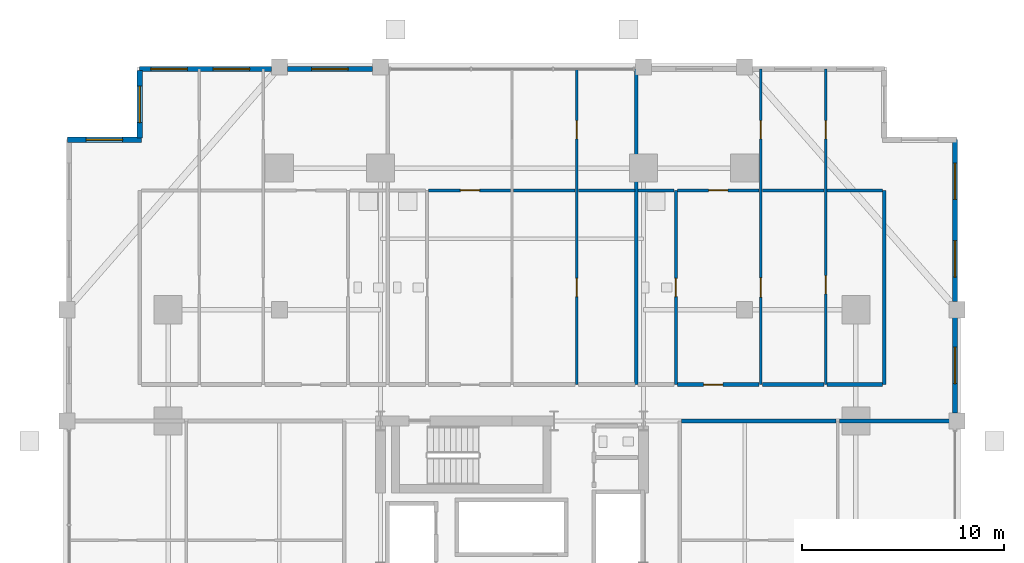
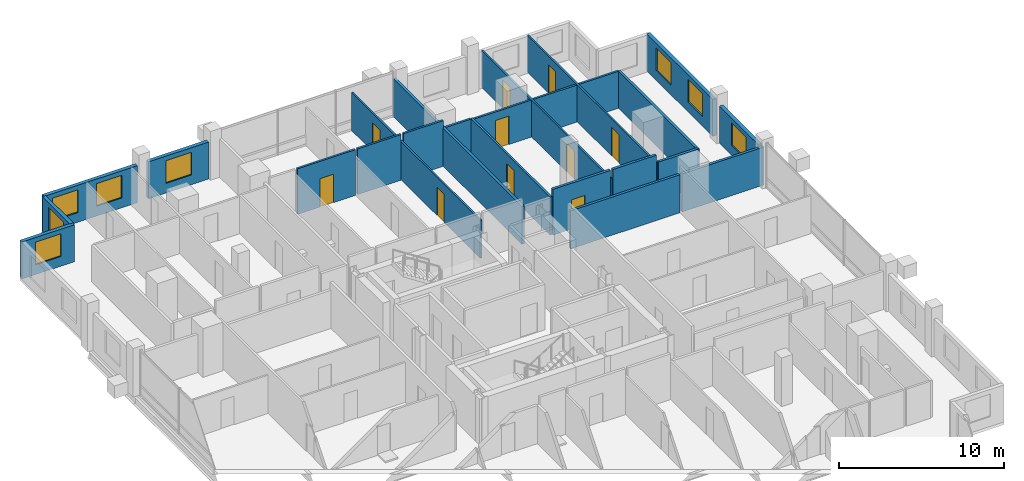
# One storey, part 21 of 24: 24 walls, 10 doors, 8 windows, 18 openings.
"""IFC4 building model written with IfcOpenShell, lengths in metres."""

from ifc_helpers import new_model, si_unit, direction, frame, frame_2d, origin, place, context, subcontext, project, spatial, rectangle, extrude, material, layer, layer_set, type_object, element, fill, save


model = new_model("IFC4")

# Units and contexts
model_context = context("Model", 3, precision=1e-05, world=origin(), true_north=direction((0.0, 1.0)))
body_context = subcontext(model_context, "Body", "Model", "MODEL_VIEW")
ifc_project = project(units=[si_unit("LENGTHUNIT", "METRE"), si_unit("AREAUNIT", "SQUARE_METRE"), si_unit("VOLUMEUNIT", "CUBIC_METRE"), si_unit("PLANEANGLEUNIT", "RADIAN"), si_unit("MASSUNIT", "GRAM", prefix="KILO")], contexts=[model_context])

# Site, building, storey
site_placement = place(None, origin())
site = spatial("IfcSite", under=ifc_project, at=site_placement, CompositionType="ELEMENT")
building_placement = place(site_placement, origin())
building = spatial("IfcBuilding", under=site, at=building_placement, Name="Barlavira Tower and Art Museum", CompositionType="ELEMENT")
storey_placement = place(building_placement, frame((0.0, 0.0, 43.199951171875)))
storey = spatial("IfcBuildingStorey", under=building, at=storey_placement, Name="L09", CompositionType="ELEMENT", Elevation=43.199951171875)

# Wall, openings, doors
ifc_material_1 = material(Name="Gypsum acoustic stud partition", Category="gypsum")
ifc_layer_1 = layer(ifc_material_1, 0.1201171875, Name="Gypsum acoustic stud partition")
ifc_layer_set_1 = layer_set([ifc_layer_1], Name="Gypsum acoustic stud partition")
wall_type_1 = type_object("IfcWallType", Name="Apartment Internal Acoustic Partition 120", PredefinedType="PARTITIONING", material=ifc_layer_set_1)
wall_1_placement = place(storey_placement, frame((3.199951171875, 9.300048828125, 0.0), z_axis=(0.0, 0.0, 1.0), x_axis=(0.0, 1.0, 0.0)))
wall_1 = element("IfcWall", 1, at=wall_1_placement, inside=storey, type_object=wall_type_1, Name="L09 Partition Wall 17", PredefinedType="PARTITIONING", context=body_context, shape_type="SweptSolid", body=[
    extrude(rectangle(XDim=15.599853515625, YDim=0.1201171875, at=frame_2d((7.7998046875, 0.0))), origin(), (0.0, 0.0, 1.0), 2.816162109375),
])
opening_1_placement = place(wall_1_placement, frame((4.35009765625, 0.0, 0.0)))
opening_1 = element("IfcOpeningElement", 2, at=opening_1_placement, cuts=wall_1, Name="Opening D-01", PredefinedType="OPENING", context=body_context, shape_type="SweptSolid", body=[
    extrude(rectangle(XDim=0.89990234375, YDim=2.10009765625, at=frame_2d((0.449951171875, 1.050048828125))), frame((0.0, 0.070068359375, 0.0), z_axis=(0.0, -1.0, 0.0), x_axis=(1.0, 0.0, 0.0)), (0.0, 0.0, 1.0), 0.14013671875),
])
opening_2_placement = place(wall_1_placement, frame((12.14990234375, 0.0, 0.0)))
opening_2 = element("IfcOpeningElement", 3, at=opening_2_placement, cuts=wall_1, Name="Opening D-01", PredefinedType="OPENING", context=body_context, shape_type="SweptSolid", body=[
    extrude(rectangle(XDim=0.89990234375, YDim=2.10009765625, at=frame_2d((0.449951171875, 1.050048828125))), frame((0.0, 0.070068359375, 0.0), z_axis=(0.0, -1.0, 0.0), x_axis=(1.0, 0.0, 0.0)), (0.0, 0.0, 1.0), 0.14013671875),
])
ifc_material_2 = material(Name="Engineered coastal hardwood", Category="wood")
door_type_1 = type_object("IfcDoorType", Name="Internal Bedroom Timber Flush Door 900x2100", OperationType="NOTDEFINED", PredefinedType="DOOR", material=ifc_material_2)
door_1_placement = place(opening_1_placement, origin())
door_1 = element("IfcDoor", 4, at=door_1_placement, inside=storey, type_object=door_type_1, Name="Apartment N2 Walk-In Dressing Room Door", OperationType="SINGLE_SWING_LEFT", OverallHeight=2.10009765625, OverallWidth=0.89990234375, PredefinedType="DOOR", context=body_context, shape_type="SweptSolid", body=[
    extrude(rectangle(XDim=0.89990234375, YDim=2.10009765625, at=frame_2d((0.449951171875, 1.050048828125))), frame((0.0, 0.02490234375, 0.0), z_axis=(0.0, -1.0, 0.0), x_axis=(1.0, 0.0, 0.0)), (0.0, 0.0, 1.0), 0.050048828125),
])
fill(opening_1, door_1)
door_2_placement = place(opening_2_placement, origin())
door_2 = element("IfcDoor", 5, at=door_2_placement, inside=storey, type_object=door_type_1, Name="Apartment N2 Sunroom Lounge 2 Door", OperationType="SINGLE_SWING_RIGHT", OverallHeight=2.10009765625, OverallWidth=0.89990234375, PredefinedType="DOOR", context=body_context, shape_type="SweptSolid", body=[
    extrude(rectangle(XDim=0.89990234375, YDim=2.10009765625, at=frame_2d((0.449951171875, 1.050048828125))), frame((0.0, 0.02490234375, 0.0), z_axis=(0.0, -1.0, 0.0), x_axis=(1.0, 0.0, 0.0)), (0.0, 0.0, 1.0), 0.050048828125),
])
fill(opening_2, door_2)

wall_2_placement = place(storey_placement, frame((12.300048828125, 9.300048828125, 0.0), z_axis=(0.0, 0.0, 1.0), x_axis=(0.0, 1.0, 0.0)))
wall_2 = element("IfcWall", 6, at=wall_2_placement, inside=storey, type_object=wall_type_1, Name="L09 Partition Wall 24", PredefinedType="PARTITIONING", context=body_context, shape_type="SweptSolid", body=[
    extrude(rectangle(XDim=15.599853515625, YDim=0.1201171875, at=frame_2d((7.7998046875, 0.0))), origin(), (0.0, 0.0, 1.0), 2.736083984375),
])
opening_3_placement = place(wall_2_placement, frame((4.324951171875, 0.0, 0.0)))
opening_3 = element("IfcOpeningElement", 7, at=opening_3_placement, cuts=wall_2, Name="Opening D-02", PredefinedType="OPENING", context=body_context, shape_type="SweptSolid", body=[
    extrude(rectangle(XDim=0.949951171875, YDim=2.10009765625, at=frame_2d((0.47509765625, 1.050048828125))), frame((0.0, 0.070068359375, 0.0), z_axis=(0.0, -1.0, 0.0), x_axis=(1.0, 0.0, 0.0)), (0.0, 0.0, 1.0), 0.14013671875),
])
opening_4_placement = place(wall_2_placement, frame((12.14990234375, 0.0, 0.0)))
opening_4 = element("IfcOpeningElement", 8, at=opening_4_placement, cuts=wall_2, Name="Opening D-01", PredefinedType="OPENING", context=body_context, shape_type="SweptSolid", body=[
    extrude(rectangle(XDim=0.89990234375, YDim=2.10009765625, at=frame_2d((0.449951171875, 1.050048828125))), frame((0.0, 0.070068359375, 0.0), z_axis=(0.0, -1.0, 0.0), x_axis=(1.0, 0.0, 0.0)), (0.0, 0.0, 1.0), 0.14013671875),
])
door_3_placement = place(opening_4_placement, origin())
door_3 = element("IfcDoor", 9, at=door_3_placement, inside=storey, type_object=door_type_1, Name="Apartment N3 Bedroom 1 Door", OperationType="SINGLE_SWING_RIGHT", OverallHeight=2.10009765625, OverallWidth=0.89990234375, PredefinedType="DOOR", context=body_context, shape_type="SweptSolid", body=[
    extrude(rectangle(XDim=0.89990234375, YDim=2.10009765625, at=frame_2d((0.449951171875, 1.050048828125))), frame((0.0, 0.02490234375, 0.0), z_axis=(0.0, -1.0, 0.0), x_axis=(1.0, 0.0, 0.0)), (0.0, 0.0, 1.0), 0.050048828125),
])
fill(opening_4, door_3)
door_type_2 = type_object("IfcDoorType", Name="Living and Salon Glazed-Leaf Door 950x2100", OperationType="NOTDEFINED", PredefinedType="DOOR", material=ifc_material_2)
door_4_placement = place(opening_3_placement, origin())
door_4 = element("IfcDoor", 10, at=door_4_placement, inside=storey, type_object=door_type_2, Name="Apartment N3 Kitchen Door", OperationType="SINGLE_SWING_LEFT", OverallHeight=2.10009765625, OverallWidth=0.949951171875, PredefinedType="DOOR", context=body_context, shape_type="SweptSolid", body=[
    extrude(rectangle(XDim=0.949951171875, YDim=2.10009765625, at=frame_2d((0.47509765625, 1.050048828125))), frame((0.0, 0.02490234375, 0.0), z_axis=(0.0, -1.0, 0.0), x_axis=(1.0, 0.0, 0.0)), (0.0, 0.0, 1.0), 0.050048828125),
])
fill(opening_3, door_4)

wall_3_placement = place(storey_placement, frame((15.5, 9.300048828125, 0.0), z_axis=(0.0, 0.0, 1.0), x_axis=(0.0, 1.0, 0.0)))
wall_3 = element("IfcWall", 11, at=wall_3_placement, inside=storey, type_object=wall_type_1, Name="L09 Partition Wall 27", PredefinedType="PARTITIONING", context=body_context, shape_type="SweptSolid", body=[
    extrude(rectangle(XDim=15.599853515625, YDim=0.1201171875, at=frame_2d((7.7998046875, 0.0))), origin(), (0.0, 0.0, 1.0), 2.736083984375),
])
opening_5_placement = place(wall_3_placement, frame((4.478271484375, 0.0, 0.0)))
opening_5 = element("IfcOpeningElement", 12, at=opening_5_placement, cuts=wall_3, Name="Opening D-01", PredefinedType="OPENING", context=body_context, shape_type="SweptSolid", body=[
    extrude(rectangle(XDim=0.89990234375, YDim=2.10009765625, at=frame_2d((0.449951171875, 1.050048828125))), frame((0.0, 0.070068359375, 0.0), z_axis=(0.0, -1.0, 0.0), x_axis=(1.0, 0.0, 0.0)), (0.0, 0.0, 1.0), 0.14013671875),
])
opening_6_placement = place(wall_3_placement, frame((12.14990234375, 0.0, 0.0)))
opening_6 = element("IfcOpeningElement", 13, at=opening_6_placement, cuts=wall_3, Name="Opening D-01", PredefinedType="OPENING", context=body_context, shape_type="SweptSolid", body=[
    extrude(rectangle(XDim=0.89990234375, YDim=2.10009765625, at=frame_2d((0.449951171875, 1.050048828125))), frame((0.0, 0.070068359375, 0.0), z_axis=(0.0, -1.0, 0.0), x_axis=(1.0, 0.0, 0.0)), (0.0, 0.0, 1.0), 0.14013671875),
])
door_5_placement = place(opening_5_placement, origin())
door_5 = element("IfcDoor", 14, at=door_5_placement, inside=storey, type_object=door_type_1, Name="Apartment N3 Walk-In Dressing Room Door", OperationType="SINGLE_SWING_RIGHT", OverallHeight=2.10009765625, OverallWidth=0.89990234375, PredefinedType="DOOR", context=body_context, shape_type="SweptSolid", body=[
    extrude(rectangle(XDim=0.89990234375, YDim=2.10009765625, at=frame_2d((0.449951171875, 1.050048828125))), frame((0.0, 0.02490234375, 0.0), z_axis=(0.0, -1.0, 0.0), x_axis=(1.0, 0.0, 0.0)), (0.0, 0.0, 1.0), 0.050048828125),
])
fill(opening_5, door_5)
door_6_placement = place(opening_6_placement, origin())
door_6 = element("IfcDoor", 15, at=door_6_placement, inside=storey, type_object=door_type_1, Name="Apartment N3 Sunroom Lounge 2 Door", OperationType="SINGLE_SWING_LEFT", OverallHeight=2.10009765625, OverallWidth=0.89990234375, PredefinedType="DOOR", context=body_context, shape_type="SweptSolid", body=[
    extrude(rectangle(XDim=0.89990234375, YDim=2.10009765625, at=frame_2d((0.449951171875, 1.050048828125))), frame((0.0, 0.02490234375, 0.0), z_axis=(0.0, -1.0, 0.0), x_axis=(1.0, 0.0, 0.0)), (0.0, 0.0, 1.0), 0.050048828125),
])
fill(opening_6, door_6)

# Walls
ifc_layer_2 = layer(ifc_material_1, 0.179931640625, Name="Gypsum acoustic stud partition")
ifc_layer_set_2 = layer_set([ifc_layer_2], Name="Gypsum acoustic stud partition")
wall_type_2 = type_object("IfcWallType", Name="Inter-Tenancy Party Partition Wall 180", PredefinedType="PARTITIONING", material=ifc_layer_set_2)
wall_4_placement = place(storey_placement, frame((6.14990234375, 9.300048828125, 0.0), z_axis=(0.0, 0.0, 1.0), x_axis=(0.0, 1.0, 0.0)))
element("IfcWall", 16, at=wall_4_placement, inside=storey, type_object=wall_type_2, Name="L09 Partition Wall 20", PredefinedType="PARTITIONING", context=body_context, shape_type="SweptSolid", body=[
    extrude(rectangle(XDim=15.599853515625, YDim=0.179931640625, at=frame_2d((7.7998046875, 0.0))), origin(), (0.0, 0.0, 1.0), 2.816162109375),
])
wall_5_placement = place(storey_placement, frame((18.39990234375, 9.300048828125, 0.0), z_axis=(0.0, 0.0, 1.0), x_axis=(0.0, 1.0, 0.0)))
element("IfcWall", 17, at=wall_5_placement, inside=storey, type_object=wall_type_2, Name="L09 Partition Wall 31", PredefinedType="PARTITIONING", context=body_context, shape_type="SweptSolid", body=[
    extrude(rectangle(XDim=9.599853515625, YDim=0.179931640625, at=frame_2d((4.7998046875, 0.0))), origin(), (0.0, 0.0, 1.0), 2.736083984375),
])
wall_6_placement = place(storey_placement, frame((8.3798828125, 7.5, 0.0), z_axis=(0.0, 0.0, 1.0), x_axis=(1.0, 0.0, 0.0)))
element("IfcWall", 18, at=wall_6_placement, inside=storey, type_object=wall_type_2, Name="L09 Partition Wall 71", PredefinedType="PARTITIONING", context=body_context, shape_type="SweptSolid", body=[
    extrude(rectangle(XDim=7.64013671875, YDim=0.179931640625, at=frame_2d((3.820068359375, 0.0))), origin(), (0.0, 0.0, 1.0), 2.816162109375),
])
wall_7_placement = place(storey_placement, frame((16.179931640625, 7.5, 0.0), z_axis=(0.0, 0.0, 1.0), x_axis=(1.0, 0.0, 0.0)))
element("IfcWall", 19, at=wall_7_placement, inside=storey, type_object=wall_type_2, Name="L09 Partition Wall 72", PredefinedType="PARTITIONING", context=body_context, shape_type="SweptSolid", body=[
    extrude(rectangle(XDim=5.719970703125, YDim=0.179931640625, at=frame_2d((2.85986328125, 0.0))), origin(), (0.0, 0.0, 1.0), 2.816162109375),
])

# Wall, opening, door
wall_8_placement = place(storey_placement, frame((8.179931640625, 9.300048828125, 0.0), z_axis=(0.0, 0.0, 1.0), x_axis=(1.0, 0.0, 0.0)))
wall_8 = element("IfcWall", 20, at=wall_8_placement, inside=storey, type_object=wall_type_2, Name="L09 Partition Wall 82", PredefinedType="PARTITIONING", context=body_context, shape_type="SweptSolid", body=[
    extrude(rectangle(XDim=4.0400390625, YDim=0.179931640625, at=frame_2d((2.02001953125, 0.0))), origin(), (0.0, 0.0, 1.0), 3.380126953125),
])
opening_7_placement = place(wall_8_placement, frame((1.294921875, 0.0, 0.0)))
opening_7 = element("IfcOpeningElement", 21, at=opening_7_placement, cuts=wall_8, Name="Opening FD-60", PredefinedType="OPENING", context=body_context, shape_type="SweptSolid", body=[
    extrude(rectangle(XDim=0.949951171875, YDim=2.14990234375, at=frame_2d((0.47509765625, 1.074951171875))), frame((0.0, 0.10009765625, 0.0), z_axis=(0.0, -1.0, 0.0), x_axis=(1.0, 0.0, 0.0)), (0.0, 0.0, 1.0), 0.199951171875),
])
ifc_material_3 = material(Name="Brushed stainless steel", Category="steel")
door_type_3 = type_object("IfcDoorType", Name="Apartment Entrance and Riser Fire Door 950x2150 FD60S", OperationType="NOTDEFINED", PredefinedType="DOOR", material=ifc_material_3)
door_7_placement = place(opening_7_placement, origin())
door_7 = element("IfcDoor", 22, at=door_7_placement, inside=storey, type_object=door_type_3, Name="Apartment Entrance Hall N3 Door", OperationType="SINGLE_SWING_RIGHT", OverallHeight=2.14990234375, OverallWidth=0.949951171875, PredefinedType="DOOR", context=body_context, shape_type="SweptSolid", body=[
    extrude(rectangle(XDim=0.949951171875, YDim=2.14990234375, at=frame_2d((0.47509765625, 1.074951171875))), frame((0.0, 0.02490234375, 0.0), z_axis=(0.0, -1.0, 0.0), x_axis=(1.0, 0.0, 0.0)), (0.0, 0.0, 1.0), 0.050048828125),
])
fill(opening_7, door_7)

# Walls
wall_9_placement = place(storey_placement, frame((12.3798828125, 9.300048828125, 0.0), z_axis=(0.0, 0.0, 1.0), x_axis=(1.0, 0.0, 0.0)))
element("IfcWall", 23, at=wall_9_placement, inside=storey, type_object=wall_type_2, Name="L09 Partition Wall 83", PredefinedType="PARTITIONING", context=body_context, shape_type="SweptSolid", body=[
    extrude(rectangle(XDim=3.0400390625, YDim=0.179931640625, at=frame_2d((1.52001953125, 0.0))), origin(), (0.0, 0.0, 1.0), 3.380126953125),
])
wall_10_placement = place(storey_placement, frame((15.580078125, 9.300048828125, 0.0), z_axis=(0.0, 0.0, 1.0), x_axis=(1.0, 0.0, 0.0)))
element("IfcWall", 24, at=wall_10_placement, inside=storey, type_object=wall_type_2, Name="L09 Partition Wall 84", PredefinedType="PARTITIONING", context=body_context, shape_type="SweptSolid", body=[
    extrude(rectangle(XDim=2.739990234375, YDim=0.179931640625, at=frame_2d((1.3701171875, 0.0))), origin(), (0.0, 0.0, 1.0), 2.816162109375),
])

# Wall, opening, door
ifc_layer_3 = layer(ifc_material_1, 0.139892578125, Name="Gypsum acoustic stud partition")
ifc_layer_set_3 = layer_set([ifc_layer_3], Name="Gypsum acoustic stud partition")
wall_type_3 = type_object("IfcWallType", Name="Moisture-Resistant Bathroom Partition 140", PredefinedType="PARTITIONING", material=ifc_layer_set_3)
wall_11_placement = place(storey_placement, frame((8.10009765625, 9.300048828125, 0.0), z_axis=(0.0, 0.0, 1.0), x_axis=(0.0, 1.0, 0.0)))
wall_11 = element("IfcWall", 25, at=wall_11_placement, inside=storey, type_object=wall_type_3, Name="L09 Partition Wall 21", PredefinedType="PARTITIONING", context=body_context, shape_type="SweptSolid", body=[
    extrude(rectangle(XDim=9.599853515625, YDim=0.139892578125, at=frame_2d((4.7998046875, 0.0))), origin(), (0.0, 0.0, 1.0), 2.816162109375),
])
opening_8_placement = place(wall_11_placement, frame((4.35009765625, 0.0, 0.0)))
opening_8 = element("IfcOpeningElement", 26, at=opening_8_placement, cuts=wall_11, Name="Opening D-WC", PredefinedType="OPENING", context=body_context, shape_type="SweptSolid", body=[
    extrude(rectangle(XDim=0.89990234375, YDim=2.10009765625, at=frame_2d((0.449951171875, 1.050048828125))), frame((0.0, 0.080078125, 0.0), z_axis=(0.0, -1.0, 0.0), x_axis=(1.0, 0.0, 0.0)), (0.0, 0.0, 1.0), 0.159912109375),
])
door_type_4 = type_object("IfcDoorType", Name="Accessible Bathroom Flush Door 900x2100", OperationType="NOTDEFINED", PredefinedType="DOOR", material=ifc_material_2)
door_8_placement = place(opening_8_placement, origin())
door_8 = element("IfcDoor", 27, at=door_8_placement, inside=storey, type_object=door_type_4, Name="Apartment N3 Hall Bathroom Door", OperationType="SINGLE_SWING_LEFT", OverallHeight=2.10009765625, OverallWidth=0.89990234375, PredefinedType="DOOR", context=body_context, shape_type="SweptSolid", body=[
    extrude(rectangle(XDim=0.89990234375, YDim=2.10009765625, at=frame_2d((0.449951171875, 1.050048828125))), frame((0.0, 0.02490234375, 0.0), z_axis=(0.0, -1.0, 0.0), x_axis=(1.0, 0.0, 0.0)), (0.0, 0.0, 1.0), 0.050048828125),
])
fill(opening_8, door_8)

wall_12_placement = place(storey_placement, frame((-4.1201171875, 18.89990234375, 0.0), z_axis=(0.0, 0.0, 1.0), x_axis=(1.0, 0.0, 0.0)))
wall_12 = element("IfcWall", 28, at=wall_12_placement, inside=storey, type_object=wall_type_3, Name="L09 Partition Wall 90", PredefinedType="PARTITIONING", context=body_context, shape_type="SweptSolid", body=[
    extrude(rectangle(XDim=4.0400390625, YDim=0.139892578125, at=frame_2d((2.02001953125, 0.0))), origin(), (0.0, 0.0, 1.0), 3.380126953125),
])
opening_9_placement = place(wall_12_placement, frame((1.56494140625, 0.0, 0.0)))
opening_9 = element("IfcOpeningElement", 29, at=opening_9_placement, cuts=wall_12, Name="Opening D-02", PredefinedType="OPENING", context=body_context, shape_type="SweptSolid", body=[
    extrude(rectangle(XDim=0.949951171875, YDim=2.10009765625, at=frame_2d((0.47509765625, 1.050048828125))), frame((0.0, 0.080078125, 0.0), z_axis=(0.0, -1.0, 0.0), x_axis=(1.0, 0.0, 0.0)), (0.0, 0.0, 1.0), 0.159912109375),
])
door_9_placement = place(opening_9_placement, origin())
door_9 = element("IfcDoor", 30, at=door_9_placement, inside=storey, type_object=door_type_2, Name="Apartment N2 Living Lounge Door", OperationType="SINGLE_SWING_RIGHT", OverallHeight=2.10009765625, OverallWidth=0.949951171875, PredefinedType="DOOR", context=body_context, shape_type="SweptSolid", body=[
    extrude(rectangle(XDim=0.949951171875, YDim=2.10009765625, at=frame_2d((0.47509765625, 1.050048828125))), frame((0.0, 0.02490234375, 0.0), z_axis=(0.0, -1.0, 0.0), x_axis=(1.0, 0.0, 0.0)), (0.0, 0.0, 1.0), 0.050048828125),
])
fill(opening_9, door_9)

# Walls
wall_13_placement = place(storey_placement, frame((0.080078125, 18.89990234375, 0.0), z_axis=(0.0, 0.0, 1.0), x_axis=(1.0, 0.0, 0.0)))
element("IfcWall", 31, at=wall_13_placement, inside=storey, type_object=wall_type_3, Name="L09 Partition Wall 91", PredefinedType="PARTITIONING", context=body_context, shape_type="SweptSolid", body=[
    extrude(rectangle(XDim=3.0400390625, YDim=0.139892578125, at=frame_2d((1.52001953125, 0.0))), origin(), (0.0, 0.0, 1.0), 3.380126953125),
])
wall_14_placement = place(storey_placement, frame((3.280029296875, 18.89990234375, 0.0), z_axis=(0.0, 0.0, 1.0), x_axis=(1.0, 0.0, 0.0)))
element("IfcWall", 32, at=wall_14_placement, inside=storey, type_object=wall_type_3, Name="L09 Partition Wall 92", PredefinedType="PARTITIONING", context=body_context, shape_type="SweptSolid", body=[
    extrude(rectangle(XDim=2.7900390625, YDim=0.139892578125, at=frame_2d((1.39501953125, 0.0))), origin(), (0.0, 0.0, 1.0), 3.380126953125),
])
wall_15_placement = place(storey_placement, frame((6.22998046875, 18.89990234375, 0.0), z_axis=(0.0, 0.0, 1.0), x_axis=(1.0, 0.0, 0.0)))
element("IfcWall", 33, at=wall_15_placement, inside=storey, type_object=wall_type_3, Name="L09 Partition Wall 93", PredefinedType="PARTITIONING", context=body_context, shape_type="SweptSolid", body=[
    extrude(rectangle(XDim=1.7900390625, YDim=0.139892578125, at=frame_2d((0.89501953125, 0.0))), origin(), (0.0, 0.0, 1.0), 2.816162109375),
])

# Wall, opening, door
wall_16_placement = place(storey_placement, frame((8.179931640625, 18.89990234375, 0.0), z_axis=(0.0, 0.0, 1.0), x_axis=(1.0, 0.0, 0.0)))
wall_16 = element("IfcWall", 34, at=wall_16_placement, inside=storey, type_object=wall_type_3, Name="L09 Partition Wall 94", PredefinedType="PARTITIONING", context=body_context, shape_type="SweptSolid", body=[
    extrude(rectangle(XDim=4.0400390625, YDim=0.139892578125, at=frame_2d((2.02001953125, 0.0))), origin(), (0.0, 0.0, 1.0), 2.736083984375),
])
opening_10_placement = place(wall_16_placement, frame((1.534912109375, 0.0, 0.0)))
opening_10 = element("IfcOpeningElement", 35, at=opening_10_placement, cuts=wall_16, Name="Opening D-02", PredefinedType="OPENING", context=body_context, shape_type="SweptSolid", body=[
    extrude(rectangle(XDim=0.949951171875, YDim=2.10009765625, at=frame_2d((0.47509765625, 1.050048828125))), frame((0.0, 0.080078125, 0.0), z_axis=(0.0, -1.0, 0.0), x_axis=(1.0, 0.0, 0.0)), (0.0, 0.0, 1.0), 0.159912109375),
])
door_10_placement = place(opening_10_placement, origin())
door_10 = element("IfcDoor", 36, at=door_10_placement, inside=storey, type_object=door_type_2, Name="Apartment N3 Living Lounge Door", OperationType="SINGLE_SWING_LEFT", OverallHeight=2.10009765625, OverallWidth=0.949951171875, PredefinedType="DOOR", context=body_context, shape_type="SweptSolid", body=[
    extrude(rectangle(XDim=0.949951171875, YDim=2.10009765625, at=frame_2d((0.47509765625, 1.050048828125))), frame((0.0, 0.02490234375, 0.0), z_axis=(0.0, -1.0, 0.0), x_axis=(1.0, 0.0, 0.0)), (0.0, 0.0, 1.0), 0.050048828125),
])
fill(opening_10, door_10)

# Walls
wall_17_placement = place(storey_placement, frame((12.3798828125, 18.89990234375, 0.0), z_axis=(0.0, 0.0, 1.0), x_axis=(1.0, 0.0, 0.0)))
element("IfcWall", 37, at=wall_17_placement, inside=storey, type_object=wall_type_3, Name="L09 Partition Wall 95", PredefinedType="PARTITIONING", context=body_context, shape_type="SweptSolid", body=[
    extrude(rectangle(XDim=3.0400390625, YDim=0.139892578125, at=frame_2d((1.52001953125, 0.0))), origin(), (0.0, 0.0, 1.0), 2.736083984375),
])
wall_18_placement = place(storey_placement, frame((15.580078125, 18.89990234375, 0.0), z_axis=(0.0, 0.0, 1.0), x_axis=(1.0, 0.0, 0.0)))
element("IfcWall", 38, at=wall_18_placement, inside=storey, type_object=wall_type_3, Name="L09 Partition Wall 96", PredefinedType="PARTITIONING", context=body_context, shape_type="SweptSolid", body=[
    extrude(rectangle(XDim=2.739990234375, YDim=0.139892578125, at=frame_2d((1.3701171875, 0.0))), origin(), (0.0, 0.0, 1.0), 2.736083984375),
])

# Wall, opening, window
ifc_material_4 = material(Name="Precast concrete C40", Category="concrete")
ifc_layer_4 = layer(ifc_material_4, 0.25, Name="Precast concrete C40")
ifc_layer_set_4 = layer_set([ifc_layer_4], Name="Precast concrete C40")
wall_type_4 = type_object("IfcWallType", Name="Notched Corner Spandrel Wall 250 Precast Concrete C40", PredefinedType="SOLIDWALL", material=ifc_layer_set_4)
wall_19_placement = place(storey_placement, frame((-6.89501953125, 24.89990234375, 0.0), z_axis=(0.0, 0.0, 1.0), x_axis=(-1.0, 0.0, 0.0)))
wall_19 = element("IfcWall", 39, at=wall_19_placement, inside=storey, type_object=wall_type_4, Name="L09 Coastal Facade Pier Wall CW1-L09-N-4", PredefinedType="SOLIDWALL", context=body_context, shape_type="SweptSolid", body=[
    extrude(rectangle(XDim=4.2099609375, YDim=0.25, at=frame_2d((2.10498046875, 0.0))), origin(), (0.0, 0.0, 1.0), 2.736083984375),
])
opening_11_placement = place(wall_19_placement, frame((1.205078125, 0.0, 0.719970703125)))
opening_11 = element("IfcOpeningElement", 40, at=opening_11_placement, cuts=wall_19, Name="Opening WN-01", PredefinedType="OPENING", context=body_context, shape_type="SweptSolid", body=[
    extrude(rectangle(XDim=1.800048828125, YDim=1.679931640625, at=frame_2d((0.89990234375, 0.83984375))), frame((0.0, 0.135009765625, 0.0), z_axis=(0.0, -1.0, 0.0), x_axis=(1.0, 0.0, 0.0)), (0.0, 0.0, 1.0), 0.27001953125),
])
ifc_material_5 = material(Name="Low-iron coastal laminated glass", Category="glass")
window_type = type_object("IfcWindowType", Name="Recessed Notch Corner Punch Window 1800x1680", PartitioningType="SINGLE_PANEL", PredefinedType="WINDOW", material=ifc_material_5)
window_1_placement = place(opening_11_placement, origin())
window_1 = element("IfcWindow", 41, at=window_1_placement, inside=storey, type_object=window_type, Name="L09 Punched Facade Window EWP-CW1-L09-N-4-1", OverallHeight=1.679931640625, OverallWidth=1.800048828125, PartitioningType="SINGLE_PANEL", PredefinedType="WINDOW", context=body_context, shape_type="SweptSolid", body=[
    extrude(rectangle(XDim=1.800048828125, YDim=1.679931640625, at=frame_2d((0.89990234375, 0.83984375))), frame((0.0, 0.030029296875, 0.0), z_axis=(0.0, -1.0, 0.0), x_axis=(1.0, 0.0, 0.0)), (0.0, 0.0, 1.0), 0.06005859375),
])
fill(opening_11, window_1)

# Wall, openings, windows
wall_20_placement = place(storey_placement, frame((-11.89501953125, 24.89990234375, 0.0), z_axis=(0.0, 0.0, 1.0), x_axis=(-1.0, 0.0, 0.0)))
wall_20 = element("IfcWall", 42, at=wall_20_placement, inside=storey, type_object=wall_type_4, Name="L09 Coastal Facade Pier Wall CW1-L09-N-5", PredefinedType="SOLIDWALL", context=body_context, shape_type="SweptSolid", body=[
    extrude(rectangle(XDim=6.530029296875, YDim=0.25, at=frame_2d((3.26513671875, 0.0))), origin(), (0.0, 0.0, 1.0), 2.736083984375),
])
opening_12_placement = place(wall_20_placement, frame((1.080078125, 0.0, 0.719970703125)))
opening_12 = element("IfcOpeningElement", 43, at=opening_12_placement, cuts=wall_20, Name="Opening WN-01", PredefinedType="OPENING", context=body_context, shape_type="SweptSolid", body=[
    extrude(rectangle(XDim=1.800048828125, YDim=1.679931640625, at=frame_2d((0.89990234375, 0.83984375))), frame((0.0, 0.135009765625, 0.0), z_axis=(0.0, -1.0, 0.0), x_axis=(1.0, 0.0, 0.0)), (0.0, 0.0, 1.0), 0.27001953125),
])
opening_13_placement = place(wall_20_placement, frame((4.153076171875, 0.0, 0.719970703125)))
opening_13 = element("IfcOpeningElement", 44, at=opening_13_placement, cuts=wall_20, Name="Opening WN-01", PredefinedType="OPENING", context=body_context, shape_type="SweptSolid", body=[
    extrude(rectangle(XDim=1.800048828125, YDim=1.679931640625, at=frame_2d((0.89990234375, 0.83984375))), frame((0.0, 0.135009765625, 0.0), z_axis=(0.0, -1.0, 0.0), x_axis=(1.0, 0.0, 0.0)), (0.0, 0.0, 1.0), 0.27001953125),
])
window_2_placement = place(opening_12_placement, origin())
window_2 = element("IfcWindow", 45, at=window_2_placement, inside=storey, type_object=window_type, Name="L09 Punched Facade Window EWP-CW1-L09-N-5-1", OverallHeight=1.679931640625, OverallWidth=1.800048828125, PartitioningType="SINGLE_PANEL", PredefinedType="WINDOW", context=body_context, shape_type="SweptSolid", body=[
    extrude(rectangle(XDim=1.800048828125, YDim=1.679931640625, at=frame_2d((0.89990234375, 0.83984375))), frame((0.0, 0.030029296875, 0.0), z_axis=(0.0, -1.0, 0.0), x_axis=(1.0, 0.0, 0.0)), (0.0, 0.0, 1.0), 0.06005859375),
])
fill(opening_12, window_2)
window_3_placement = place(opening_13_placement, origin())
window_3 = element("IfcWindow", 46, at=window_3_placement, inside=storey, type_object=window_type, Name="L09 Punched Facade Window EWP-CW1-L09-N-5-2", OverallHeight=1.679931640625, OverallWidth=1.800048828125, PartitioningType="SINGLE_PANEL", PredefinedType="WINDOW", context=body_context, shape_type="SweptSolid", body=[
    extrude(rectangle(XDim=1.800048828125, YDim=1.679931640625, at=frame_2d((0.89990234375, 0.83984375))), frame((0.0, 0.030029296875, 0.0), z_axis=(0.0, -1.0, 0.0), x_axis=(1.0, 0.0, 0.0)), (0.0, 0.0, 1.0), 0.06005859375),
])
fill(opening_13, window_3)

# Wall, opening, window
wall_21_placement = place(storey_placement, frame((21.89990234375, 7.89501953125, 0.0), z_axis=(0.0, 0.0, 1.0), x_axis=(0.0, 1.0, 0.0)))
wall_21 = element("IfcWall", 47, at=wall_21_placement, inside=storey, type_object=wall_type_4, Name="L09 Coastal Facade Pier Wall CW1-L09-E-4", PredefinedType="SOLIDWALL", context=body_context, shape_type="SweptSolid", body=[
    extrude(rectangle(XDim=4.7099609375, YDim=0.25, at=frame_2d((2.35498046875, 0.0))), origin(), (0.0, 0.0, 1.0), 2.736083984375),
])
opening_14_placement = place(wall_21_placement, frame((1.455078125, 0.0, 0.719970703125)))
opening_14 = element("IfcOpeningElement", 48, at=opening_14_placement, cuts=wall_21, Name="Opening WN-01", PredefinedType="OPENING", context=body_context, shape_type="SweptSolid", body=[
    extrude(rectangle(XDim=1.800048828125, YDim=1.679931640625, at=frame_2d((0.89990234375, 0.83984375))), frame((0.0, 0.135009765625, 0.0), z_axis=(0.0, -1.0, 0.0), x_axis=(1.0, 0.0, 0.0)), (0.0, 0.0, 1.0), 0.27001953125),
])
window_4_placement = place(opening_14_placement, origin())
window_4 = element("IfcWindow", 49, at=window_4_placement, inside=storey, type_object=window_type, Name="L09 Punched Facade Window EWP-CW1-L09-E-4-1", OverallHeight=1.679931640625, OverallWidth=1.800048828125, PartitioningType="SINGLE_PANEL", PredefinedType="WINDOW", context=body_context, shape_type="SweptSolid", body=[
    extrude(rectangle(XDim=1.800048828125, YDim=1.679931640625, at=frame_2d((0.89990234375, 0.83984375))), frame((0.0, 0.030029296875, 0.0), z_axis=(0.0, -1.0, 0.0), x_axis=(1.0, 0.0, 0.0)), (0.0, 0.0, 1.0), 0.06005859375),
])
fill(opening_14, window_4)

# Wall, openings, windows
wall_22_placement = place(storey_placement, frame((21.89990234375, 13.39501953125, 0.0), z_axis=(0.0, 0.0, 1.0), x_axis=(0.0, 1.0, 0.0)))
wall_22 = element("IfcWall", 50, at=wall_22_placement, inside=storey, type_object=wall_type_4, Name="L09 Coastal Facade Pier Wall CW1-L09-E-5", PredefinedType="SOLIDWALL", context=body_context, shape_type="SweptSolid", body=[
    extrude(rectangle(XDim=8.030029296875, YDim=0.25, at=frame_2d((4.01513671875, 0.0))), origin(), (0.0, 0.0, 1.0), 2.736083984375),
])
opening_15_placement = place(wall_22_placement, frame((1.220947265625, 0.0, 0.719970703125)))
opening_15 = element("IfcOpeningElement", 51, at=opening_15_placement, cuts=wall_22, Name="Opening WN-01", PredefinedType="OPENING", context=body_context, shape_type="SweptSolid", body=[
    extrude(rectangle(XDim=1.800048828125, YDim=1.679931640625, at=frame_2d((0.89990234375, 0.83984375))), frame((0.0, 0.135009765625, 0.0), z_axis=(0.0, -1.0, 0.0), x_axis=(1.0, 0.0, 0.0)), (0.0, 0.0, 1.0), 0.27001953125),
])
opening_16_placement = place(wall_22_placement, frame((5.053955078125, 0.0, 0.719970703125)))
opening_16 = element("IfcOpeningElement", 52, at=opening_16_placement, cuts=wall_22, Name="Opening WN-01", PredefinedType="OPENING", context=body_context, shape_type="SweptSolid", body=[
    extrude(rectangle(XDim=1.800048828125, YDim=1.679931640625, at=frame_2d((0.89990234375, 0.83984375))), frame((0.0, 0.135009765625, 0.0), z_axis=(0.0, -1.0, 0.0), x_axis=(1.0, 0.0, 0.0)), (0.0, 0.0, 1.0), 0.27001953125),
])
window_5_placement = place(opening_15_placement, origin())
window_5 = element("IfcWindow", 53, at=window_5_placement, inside=storey, type_object=window_type, Name="L09 Punched Facade Window EWP-CW1-L09-E-5-1", OverallHeight=1.679931640625, OverallWidth=1.800048828125, PartitioningType="SINGLE_PANEL", PredefinedType="WINDOW", context=body_context, shape_type="SweptSolid", body=[
    extrude(rectangle(XDim=1.800048828125, YDim=1.679931640625, at=frame_2d((0.89990234375, 0.83984375))), frame((0.0, 0.030029296875, 0.0), z_axis=(0.0, -1.0, 0.0), x_axis=(1.0, 0.0, 0.0)), (0.0, 0.0, 1.0), 0.06005859375),
])
fill(opening_15, window_5)
window_6_placement = place(opening_16_placement, origin())
window_6 = element("IfcWindow", 54, at=window_6_placement, inside=storey, type_object=window_type, Name="L09 Punched Facade Window EWP-CW1-L09-E-5-2", OverallHeight=1.679931640625, OverallWidth=1.800048828125, PartitioningType="SINGLE_PANEL", PredefinedType="WINDOW", context=body_context, shape_type="SweptSolid", body=[
    extrude(rectangle(XDim=1.800048828125, YDim=1.679931640625, at=frame_2d((0.89990234375, 0.83984375))), frame((0.0, 0.030029296875, 0.0), z_axis=(0.0, -1.0, 0.0), x_axis=(1.0, 0.0, 0.0)), (0.0, 0.0, 1.0), 0.06005859375),
])
fill(opening_16, window_6)

# Wall, opening, window
wall_23_placement = place(storey_placement, frame((-18.39990234375, 24.820068359375, 0.0), z_axis=(0.0, 0.0, 1.0), x_axis=(0.0, -1.0, 0.0)))
wall_23 = element("IfcWall", 55, at=wall_23_placement, inside=storey, type_object=wall_type_4, Name="L09 Notch Corner Wall NW1", PredefinedType="SOLIDWALL", context=body_context, shape_type="SweptSolid", body=[
    extrude(rectangle(XDim=3.340087890625, YDim=0.25, at=frame_2d((1.669921875, 0.0))), origin(), (0.0, 0.0, 1.0), 2.736083984375),
])
opening_17_placement = place(wall_23_placement, frame((0.77001953125, 0.0, 0.719970703125)))
opening_17 = element("IfcOpeningElement", 56, at=opening_17_placement, cuts=wall_23, Name="Opening WN-01", PredefinedType="OPENING", context=body_context, shape_type="SweptSolid", body=[
    extrude(rectangle(XDim=1.800048828125, YDim=1.679931640625, at=frame_2d((0.89990234375, 0.83984375))), frame((0.0, 0.135009765625, 0.0), z_axis=(0.0, -1.0, 0.0), x_axis=(1.0, 0.0, 0.0)), (0.0, 0.0, 1.0), 0.27001953125),
])
window_7_placement = place(opening_17_placement, origin())
window_7 = element("IfcWindow", 57, at=window_7_placement, inside=storey, type_object=window_type, Name="L09 Punched Facade Window EW-NTC-L09-NW1-1", OverallHeight=1.679931640625, OverallWidth=1.800048828125, PartitioningType="SINGLE_PANEL", PredefinedType="WINDOW", context=body_context, shape_type="SweptSolid", body=[
    extrude(rectangle(XDim=1.800048828125, YDim=1.679931640625, at=frame_2d((0.89990234375, 0.83984375))), frame((0.0, 0.030029296875, 0.0), z_axis=(0.0, -1.0, 0.0), x_axis=(1.0, 0.0, 0.0)), (0.0, 0.0, 1.0), 0.06005859375),
])
fill(opening_17, window_7)

wall_24_placement = place(storey_placement, frame((-18.320068359375, 21.39990234375, 0.0), z_axis=(0.0, 0.0, 1.0), x_axis=(-1.0, 0.0, 0.0)))
wall_24 = element("IfcWall", 58, at=wall_24_placement, inside=storey, type_object=wall_type_4, Name="L09 Notch Corner Wall NW2", PredefinedType="SOLIDWALL", context=body_context, shape_type="SweptSolid", body=[
    extrude(rectangle(XDim=3.659912109375, YDim=0.25, at=frame_2d((1.830078125, 0.0))), origin(), (0.0, 0.0, 1.0), 2.736083984375),
])
opening_18_placement = place(wall_24_placement, frame((0.929931640625, 0.0, 0.719970703125)))
opening_18 = element("IfcOpeningElement", 59, at=opening_18_placement, cuts=wall_24, Name="Opening WN-01", PredefinedType="OPENING", context=body_context, shape_type="SweptSolid", body=[
    extrude(rectangle(XDim=1.800048828125, YDim=1.679931640625, at=frame_2d((0.89990234375, 0.83984375))), frame((0.0, 0.135009765625, 0.0), z_axis=(0.0, -1.0, 0.0), x_axis=(1.0, 0.0, 0.0)), (0.0, 0.0, 1.0), 0.27001953125),
])
window_8_placement = place(opening_18_placement, origin())
window_8 = element("IfcWindow", 60, at=window_8_placement, inside=storey, type_object=window_type, Name="L09 Punched Facade Window EW-NTC-L09-NW2-1", OverallHeight=1.679931640625, OverallWidth=1.800048828125, PartitioningType="SINGLE_PANEL", PredefinedType="WINDOW", context=body_context, shape_type="SweptSolid", body=[
    extrude(rectangle(XDim=1.800048828125, YDim=1.679931640625, at=frame_2d((0.89990234375, 0.83984375))), frame((0.0, 0.030029296875, 0.0), z_axis=(0.0, -1.0, 0.0), x_axis=(1.0, 0.0, 0.0)), (0.0, 0.0, 1.0), 0.06005859375),
])
fill(opening_18, window_8)

save(model, "model.ifc")
